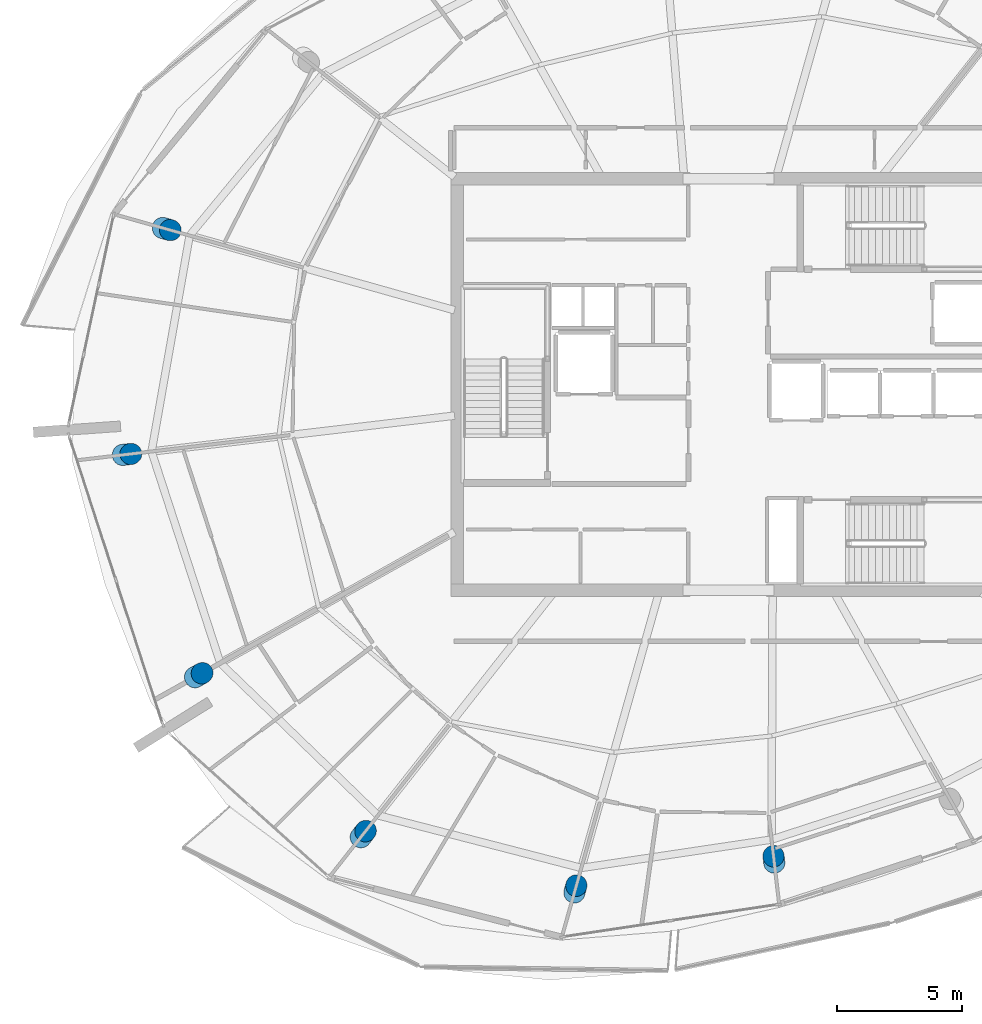
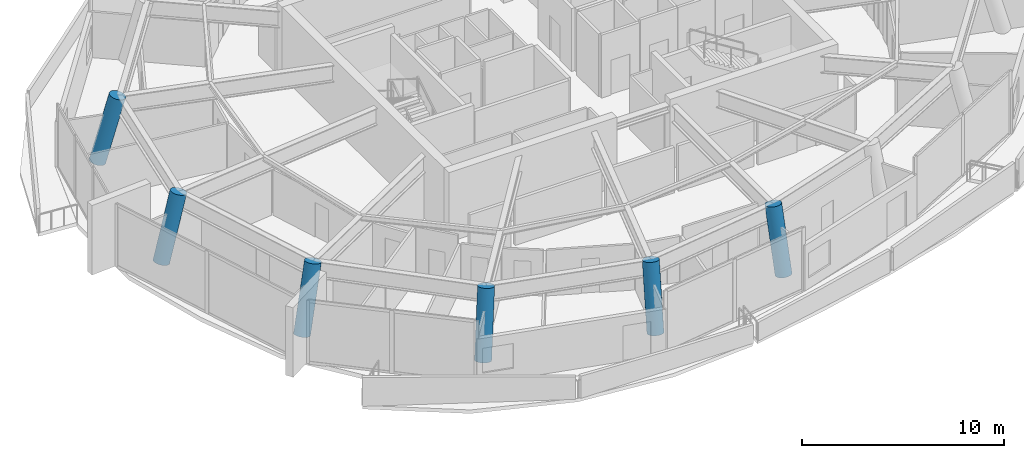
# One storey, part 1 of 19: 6 columns.
"""IFC4 building model written with IfcOpenShell, lengths in metres."""

from ifc_helpers import new_model, si_unit, direction, frame, origin, origin_2d, place, context, subcontext, project, spatial, circle, extrude, material, material_profile, profile_set, type_object, element, save


model = new_model("IFC4")

# Units and contexts
model_context = context("Model", 3, precision=1e-05, world=origin(), true_north=direction((0.0, 1.0)))
body_context = subcontext(model_context, "Body", "Model", "MODEL_VIEW")
ifc_project = project(units=[si_unit("LENGTHUNIT", "METRE"), si_unit("AREAUNIT", "SQUARE_METRE"), si_unit("VOLUMEUNIT", "CUBIC_METRE"), si_unit("PLANEANGLEUNIT", "RADIAN"), si_unit("MASSUNIT", "GRAM", prefix="KILO")], contexts=[model_context])

# Site, building, storey
site_placement = place(None, origin())
site = spatial("IfcSite", under=ifc_project, at=site_placement, CompositionType="ELEMENT")
building_placement = place(site_placement, origin())
building = spatial("IfcBuilding", under=site, at=building_placement, Name="Kazma Halo Residences", CompositionType="ELEMENT")
storey_placement = place(building_placement, frame((0.0, 0.0, 347.300048828125)))
storey = spatial("IfcBuildingStorey", under=building, at=storey_placement, Name="L87", CompositionType="ELEMENT", Elevation=347.300048828125)

# Columns
ifc_material = material(Name="Concrete C60/75", Category="concrete")
ifc_material_profile = material_profile(ifc_material, circle(Radius=0.425048828125, at=origin_2d()), Name="CIRC850")
ifc_profile_set = profile_set([ifc_material_profile], Name="Concrete C60/75")
column_type = type_object("IfcColumnType", Name="COL-PERIM-850", PredefinedType="COLUMN", material=ifc_profile_set)
column_1_placement = place(storey_placement, frame((25.744384765625, 48.276611328125, 0.0), z_axis=(0.249679030359, -0.070361834102, 0.965768913406), x_axis=(0.27124427314, 0.96251054243, 0.0)))
element("IfcColumn", 1, at=column_1_placement, inside=storey, type_object=column_type, Name="L87 perimeter ring column P07", PredefinedType="COLUMN", context=body_context, shape_type="SweptSolid", body=[
    extrude(circle(Radius=0.425048828125, at=origin_2d()), origin(), (0.0, 0.0, 1.0), 3.934814453125),
])
for number, where, z_axis, x_axis, name in (
    (2, (24.1396484375, 39.17578125, 0.0), (0.266957826391, 0.031621569144, 0.963189283212), (-0.117629213307, 0.993057585529, 0.0), "L87 perimeter ring column P08"),
    (3, (27.03662109375, 30.260009765625, 0.0), (0.234532013765, 0.131375056787, 0.96319018318), (-0.488708510237, 0.872447128497, 0.0), "L87 perimeter ring column P09"),
):
    element("IfcColumn", number, at=place(storey_placement, frame(where, z_axis=z_axis, x_axis=x_axis)), inside=storey, type_object=column_type, Name=name, PredefinedType="COLUMN", context=body_context, shape_type="SweptSolid", body=[
        extrude(circle(Radius=0.425048828125, at=origin_2d()), origin(), (0.0, 0.0, 1.0), 3.9453125),
    ])
column_2_placement = place(storey_placement, frame((33.68408203125, 23.840576171875, 0.0), z_axis=(0.160640140705, 0.203700881396, 0.965764306709), x_axis=(-0.785213254806, 0.619225439139, 0.0)))
element("IfcColumn", 4, at=column_2_placement, inside=storey, type_object=column_type, Name="L87 perimeter ring column P10", PredefinedType="COLUMN", context=body_context, shape_type="SweptSolid", body=[
    extrude(circle(Radius=0.425048828125, at=origin_2d()), origin(), (0.0, 0.0, 1.0), 3.934814453125),
])
column_3_placement = place(storey_placement, frame((42.25341796875, 21.62353515625, 0.0), z_axis=(0.064758926889, 0.229838041096, 0.971071962448), x_axis=(-0.96252315306, 0.271199520325, 0.0)))
element("IfcColumn", 5, at=column_3_placement, inside=storey, type_object=column_type, Name="L87 perimeter ring column P11", PredefinedType="COLUMN", context=body_context, shape_type="SweptSolid", body=[
    extrude(circle(Radius=0.425048828125, at=origin_2d()), origin(), (0.0, 0.0, 1.0), 3.913330078125),
])
column_4_placement = place(storey_placement, frame((50.27001953125, 22.82080078125, 0.0), z_axis=(-0.025702555293, 0.217343315127, 0.975756763759), x_axis=(-0.993080036652, -0.117439519766, 0.0)))
element("IfcColumn", 6, at=column_4_placement, inside=storey, type_object=column_type, Name="L87 perimeter ring column P12", PredefinedType="COLUMN", context=body_context, shape_type="SweptSolid", body=[
    extrude(circle(Radius=0.425048828125, at=origin_2d()), origin(), (0.0, 0.0, 1.0), 3.89453125),
])

save(model, "model.ifc")
